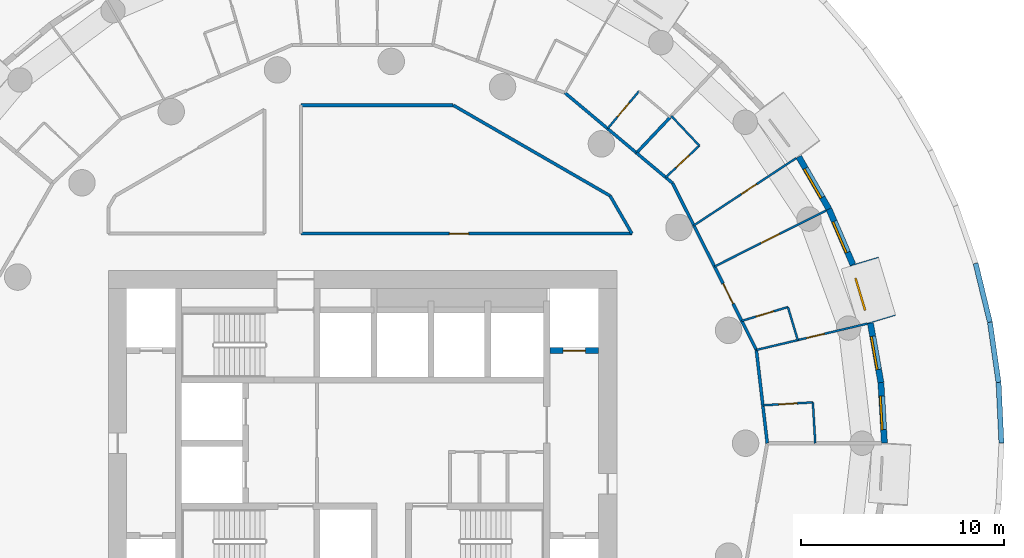
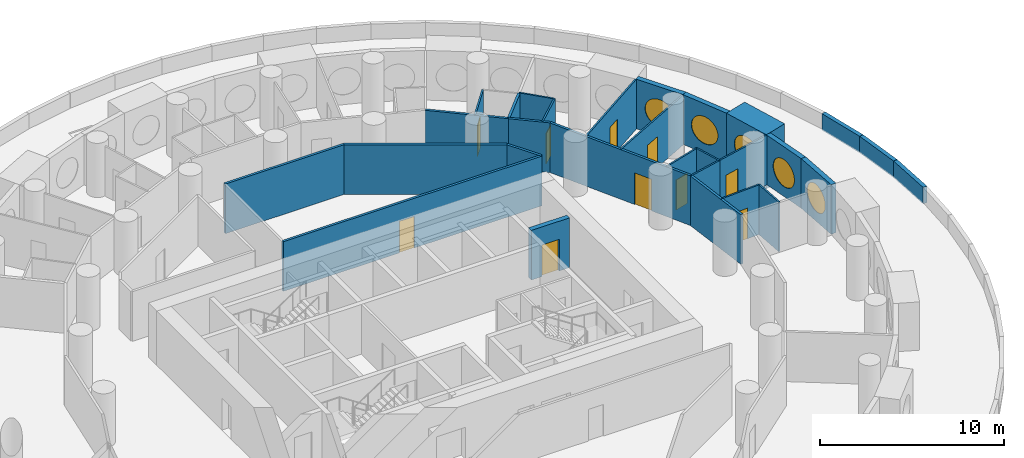
# One storey, part 8 of 13: 29 walls, 10 doors, 5 windows, 15 openings.
"""IFC4 building model written with IfcOpenShell, lengths in metres."""

from ifc_helpers import new_model, si_unit, direction, frame, frame_2d, origin, origin_2d, place, context, subcontext, project, spatial, rectangle, circle, extrude, material, layer, layer_set, type_object, element, fill, save


model = new_model("IFC4")

# Units and contexts
model_context = context("Model", 3, precision=1e-05, world=origin(), true_north=direction((0.0, 1.0)))
body_context = subcontext(model_context, "Body", "Model", "MODEL_VIEW")
ifc_project = project(units=[si_unit("LENGTHUNIT", "METRE"), si_unit("AREAUNIT", "SQUARE_METRE"), si_unit("VOLUMEUNIT", "CUBIC_METRE"), si_unit("PLANEANGLEUNIT", "RADIAN"), si_unit("MASSUNIT", "GRAM", prefix="KILO")], contexts=[model_context])

# Site, building, storey
site_placement = place(None, origin())
site = spatial("IfcSite", under=ifc_project, at=site_placement, CompositionType="ELEMENT")
building_placement = place(site_placement, origin())
building = spatial("IfcBuilding", under=site, at=building_placement, Name="Tracery Tower", CompositionType="ELEMENT")
storey_placement = place(building_placement, frame((0.0, 0.0, 126.0)))
storey = spatial("IfcBuildingStorey", under=building, at=storey_placement, Name="L31", CompositionType="ELEMENT", Elevation=126.0)

# Wall, opening, window
ifc_material_1 = material(Name="Precast concrete C50/60", Category="concrete")
ifc_layer_1 = layer(ifc_material_1, 1.449951171875)
ifc_layer_set_1 = layer_set([ifc_layer_1], Name="Deep-set bay unit 3000 x 3600, slab edge 300")
wall_type_1 = type_object("IfcWallType", Name="Deep-set bay unit 3000 x 3600, slab edge 300", PredefinedType="ELEMENTEDWALL", material=ifc_layer_set_1)
wall_1_placement = place(storey_placement, frame((25.509521484375, 6.0712890625, -0.300048828125), z_axis=(0.0, 0.0, 1.0), x_axis=(-0.286780420304, 0.957996341606, 0.0)))
wall_1 = element("IfcWall", 1, at=wall_1_placement, inside=storey, type_object=wall_type_1, Name="Deep-set bay unit 3 at L31", PredefinedType="ELEMENTEDWALL", context=body_context, shape_type="SweptSolid", body=[
    extrude(rectangle(XDim=3.0, YDim=1.449951171875, at=frame_2d((1.5, 0.0))), origin(), (0.0, 0.0, 1.0), 3.60009765625),
])
opening_1_placement = place(wall_1_placement, frame((1.5, 0.0, 1.85009765625)))
opening_1 = element("IfcOpeningElement", 2, at=opening_1_placement, cuts=wall_1, Name="Opening WN1", PredefinedType="OPENING", context=body_context, shape_type="SweptSolid", body=[
    extrude(circle(Radius=0.9000244140625, at=origin_2d()), frame((0.0, 0.73486328125, 0.0), z_axis=(0.0, -1.0, 0.0), x_axis=(1.0, 0.0, 0.0)), (0.0, 0.0, 1.0), 1.469970703125),
])
ifc_material_2 = material(Name="Aluminium frame with tinted double glazing", Category="aluminium")
window_type = type_object("IfcWindowType", Name="Round window 1800", PartitioningType="SINGLE_PANEL", PredefinedType="WINDOW", material=ifc_material_2)
window_1_placement = place(opening_1_placement, origin())
window_1 = element("IfcWindow", 3, at=window_1_placement, inside=storey, type_object=window_type, Name="Round window 3 at L31", OverallHeight=1.800048828125, OverallWidth=1.800048828125, PartitioningType="SINGLE_PANEL", PredefinedType="WINDOW", context=body_context, shape_type="SweptSolid", body=[
    extrude(circle(Radius=0.9000244140625, at=origin_2d()), frame((0.0, 0.69482421875, 0.0), z_axis=(0.0, -1.0, 0.0), x_axis=(1.0, 0.0, 0.0)), (0.0, 0.0, 1.0), 0.10009765625),
])
fill(opening_1, window_1)

ifc_material_3 = material(Name="Precast concrete C50/60", Category="concrete")
ifc_layer_2 = layer(ifc_material_3, 0.300048828125)
ifc_layer_set_2 = layer_set([ifc_layer_2], Name="Facade panel 3000 x 3300")
wall_type_2 = type_object("IfcWallType", Name="Facade panel 3000 x 3300", PredefinedType="SOLIDWALL", material=ifc_layer_set_2)
wall_2_placement = place(storey_placement, frame((25.64697265625, 0.009521484375, 0.0), z_axis=(0.0, 0.0, 1.0), x_axis=(-0.058139540521, 0.998308466271, 0.0)))
wall_2 = element("IfcWall", 4, at=wall_2_placement, inside=storey, type_object=wall_type_2, Name="Facade panel 1 at L31", PredefinedType="SOLIDWALL", context=body_context, shape_type="SweptSolid", body=[
    extrude(rectangle(XDim=2.97314453125, YDim=0.300048828125, at=frame_2d((1.486572265625, 0.0))), origin(), (0.0, 0.0, 1.0), 3.300048828125),
])
opening_2_placement = place(wall_2_placement, frame((1.486328125, 0.0, 1.5498046875)))
opening_2 = element("IfcOpeningElement", 5, at=opening_2_placement, cuts=wall_2, Name="Opening WN1", PredefinedType="OPENING", context=body_context, shape_type="SweptSolid", body=[
    extrude(circle(Radius=0.9000244140625, at=origin_2d()), frame((0.0, 0.159912109375, 0.0), z_axis=(0.0, -1.0, 0.0), x_axis=(1.0, 0.0, 0.0)), (0.0, 0.0, 1.0), 0.320068359375),
])
window_2_placement = place(opening_2_placement, origin())
window_2 = element("IfcWindow", 6, at=window_2_placement, inside=storey, type_object=window_type, Name="Round window 1 at L31", OverallHeight=1.800048828125, OverallWidth=1.800048828125, PartitioningType="SINGLE_PANEL", PredefinedType="WINDOW", context=body_context, shape_type="SweptSolid", body=[
    extrude(circle(Radius=0.9000244140625, at=origin_2d()), frame((0.0, 0.1201171875, 0.0), z_axis=(0.0, -1.0, 0.0), x_axis=(1.0, 0.0, 0.0)), (0.0, 0.0, 1.0), 0.10009765625),
])
fill(opening_2, window_2)

wall_3_placement = place(storey_placement, frame((25.47412109375, 2.9775390625, 0.0), z_axis=(0.0, 0.0, 1.0), x_axis=(-0.173686952598, 0.984800915159, 0.0)))
wall_3 = element("IfcWall", 7, at=wall_3_placement, inside=storey, type_object=wall_type_2, Name="Facade panel 2 at L31", PredefinedType="SOLIDWALL", context=body_context, shape_type="SweptSolid", body=[
    extrude(rectangle(XDim=2.972900390625, YDim=0.300048828125, at=frame_2d((1.486328125, 0.0))), origin(), (0.0, 0.0, 1.0), 3.300048828125),
])
opening_3_placement = place(wall_3_placement, frame((1.486328125, 0.0, 1.5498046875)))
opening_3 = element("IfcOpeningElement", 8, at=opening_3_placement, cuts=wall_3, Name="Opening WN1", PredefinedType="OPENING", context=body_context, shape_type="SweptSolid", body=[
    extrude(circle(Radius=0.9000244140625, at=origin_2d()), frame((0.0, 0.159912109375, 0.0), z_axis=(0.0, -1.0, 0.0), x_axis=(1.0, 0.0, 0.0)), (0.0, 0.0, 1.0), 0.320068359375),
])
window_3_placement = place(opening_3_placement, origin())
window_3 = element("IfcWindow", 9, at=window_3_placement, inside=storey, type_object=window_type, Name="Round window 2 at L31", OverallHeight=1.800048828125, OverallWidth=1.800048828125, PartitioningType="SINGLE_PANEL", PredefinedType="WINDOW", context=body_context, shape_type="SweptSolid", body=[
    extrude(circle(Radius=0.9000244140625, at=origin_2d()), frame((0.0, 0.1201171875, 0.0), z_axis=(0.0, -1.0, 0.0), x_axis=(1.0, 0.0, 0.0)), (0.0, 0.0, 1.0), 0.10009765625),
])
fill(opening_3, window_3)

wall_4_placement = place(storey_placement, frame((24.096923828125, 8.78076171875, 0.0), z_axis=(0.0, 0.0, 1.0), x_axis=(-0.396078892785, 0.918216483565, 0.0)))
wall_4 = element("IfcWall", 10, at=wall_4_placement, inside=storey, type_object=wall_type_2, Name="Facade panel 4 at L31", PredefinedType="SOLIDWALL", context=body_context, shape_type="SweptSolid", body=[
    extrude(rectangle(XDim=2.972900390625, YDim=0.300048828125, at=frame_2d((1.486328125, 0.0))), origin(), (0.0, 0.0, 1.0), 3.300048828125),
])
opening_4_placement = place(wall_4_placement, frame((1.486328125, 0.0, 1.5498046875)))
opening_4 = element("IfcOpeningElement", 11, at=opening_4_placement, cuts=wall_4, Name="Opening WN1", PredefinedType="OPENING", context=body_context, shape_type="SweptSolid", body=[
    extrude(circle(Radius=0.9000244140625, at=origin_2d()), frame((0.0, 0.159912109375, 0.0), z_axis=(0.0, -1.0, 0.0), x_axis=(1.0, 0.0, 0.0)), (0.0, 0.0, 1.0), 0.320068359375),
])
window_4_placement = place(opening_4_placement, origin())
window_4 = element("IfcWindow", 12, at=window_4_placement, inside=storey, type_object=window_type, Name="Round window 4 at L31", OverallHeight=1.800048828125, OverallWidth=1.800048828125, PartitioningType="SINGLE_PANEL", PredefinedType="WINDOW", context=body_context, shape_type="SweptSolid", body=[
    extrude(circle(Radius=0.9000244140625, at=origin_2d()), frame((0.0, 0.1201171875, 0.0), z_axis=(0.0, -1.0, 0.0), x_axis=(1.0, 0.0, 0.0)), (0.0, 0.0, 1.0), 0.10009765625),
])
fill(opening_4, window_4)

wall_5_placement = place(storey_placement, frame((22.91943359375, 11.510498046875, 0.0), z_axis=(0.0, 0.0, 1.0), x_axis=(-0.500016263033, 0.866016014115, 0.0)))
wall_5 = element("IfcWall", 13, at=wall_5_placement, inside=storey, type_object=wall_type_2, Name="Facade panel 5 at L31", PredefinedType="SOLIDWALL", context=body_context, shape_type="SweptSolid", body=[
    extrude(rectangle(XDim=2.97314453125, YDim=0.300048828125, at=frame_2d((1.486572265625, 0.0))), origin(), (0.0, 0.0, 1.0), 3.300048828125),
])
opening_5_placement = place(wall_5_placement, frame((1.486328125, 0.0, 1.5498046875)))
opening_5 = element("IfcOpeningElement", 14, at=opening_5_placement, cuts=wall_5, Name="Opening WN1", PredefinedType="OPENING", context=body_context, shape_type="SweptSolid", body=[
    extrude(circle(Radius=0.9000244140625, at=origin_2d()), frame((0.0, 0.159912109375, 0.0), z_axis=(0.0, -1.0, 0.0), x_axis=(1.0, 0.0, 0.0)), (0.0, 0.0, 1.0), 0.320068359375),
])
window_5_placement = place(opening_5_placement, origin())
window_5 = element("IfcWindow", 15, at=window_5_placement, inside=storey, type_object=window_type, Name="Round window 5 at L31", OverallHeight=1.800048828125, OverallWidth=1.800048828125, PartitioningType="SINGLE_PANEL", PredefinedType="WINDOW", context=body_context, shape_type="SweptSolid", body=[
    extrude(circle(Radius=0.9000244140625, at=origin_2d()), frame((0.0, 0.1201171875, 0.0), z_axis=(0.0, -1.0, 0.0), x_axis=(1.0, 0.0, 0.0)), (0.0, 0.0, 1.0), 0.10009765625),
])
fill(opening_5, window_5)

# Wall, opening, door
ifc_material_4 = material(Name="Plasterboard on steel studs", Category="steel")
ifc_layer_3 = layer(ifc_material_4, 0.10009765625)
ifc_layer_set_3 = layer_set([ifc_layer_3], Name="Partition 100 stud")
wall_type_3 = type_object("IfcWallType", Name="Partition 100 stud", PredefinedType="PARTITIONING", material=ifc_layer_set_3)
wall_6_placement = place(storey_placement, frame((17.29296875, 8.68505859375, 0.0), z_axis=(0.0, 0.0, 1.0), x_axis=(0.893639230217, 0.448786058403, 0.0)))
wall_6 = element("IfcWall", 16, at=wall_6_placement, inside=storey, type_object=wall_type_3, Name="Stud partition RB1-040", PredefinedType="PARTITIONING", context=body_context, shape_type="SweptSolid", body=[
    extrude(rectangle(XDim=6.1455078125, YDim=0.10009765625, at=frame_2d((3.07275390625, 0.0))), origin(), (0.0, 0.0, 1.0), 3.300048828125),
])
opening_6_placement = place(wall_6_placement, frame((2.572998046875, 0.0, 0.0)))
opening_6 = element("IfcOpeningElement", 17, at=opening_6_placement, cuts=wall_6, Name="Opening RB1-06", PredefinedType="OPENING", context=body_context, shape_type="SweptSolid", body=[
    extrude(rectangle(XDim=1.0, YDim=2.0400390625, at=frame_2d((0.5, 1.02001953125))), frame((0.0, 0.050048828125, 0.0), z_axis=(0.0, -1.0, 0.0), x_axis=(1.0, 0.0, 0.0)), (0.0, 0.0, 1.0), 0.10009765625),
])
ifc_material_5 = material(Name="Timber door leaf", Category="wood")
door_type_1 = type_object("IfcDoorType", Name="Door communal room 1000", OperationType="NOTDEFINED", PredefinedType="DOOR", material=ifc_material_5)
door_1_placement = place(opening_6_placement, origin())
door_1 = element("IfcDoor", 18, at=door_1_placement, inside=storey, type_object=door_type_1, Name="Communal room door RB1-06", OperationType="SINGLE_SWING_RIGHT", OverallHeight=2.0400390625, OverallWidth=1.0, PredefinedType="DOOR", context=body_context, shape_type="SweptSolid", body=[
    extrude(rectangle(XDim=1.0, YDim=2.0400390625, at=frame_2d((0.5, 1.02001953125))), frame((0.0, 0.02490234375, 0.0), z_axis=(0.0, -1.0, 0.0), x_axis=(1.0, 0.0, 0.0)), (0.0, 0.0, 1.0), 0.050048828125),
])
fill(opening_6, door_1)

wall_7_placement = place(storey_placement, frame((21.388916015625, 5.069091796875, 0.0), z_axis=(0.0, 0.0, 1.0), x_axis=(0.973047083334, 0.2306065342, 0.0)))
wall_7 = element("IfcWall", 19, at=wall_7_placement, inside=storey, type_object=wall_type_3, Name="Stud partition RB1-043", PredefinedType="PARTITIONING", context=body_context, shape_type="SweptSolid", body=[
    extrude(rectangle(XDim=3.515869140625, YDim=0.10009765625, at=frame_2d((1.7578125, 0.0))), origin(), (0.0, 0.0, 1.0), 3.300048828125),
])
opening_7_placement = place(wall_7_placement, frame((0.44677734375, 0.0, 0.0)))
opening_7 = element("IfcOpeningElement", 20, at=opening_7_placement, cuts=wall_7, Name="Opening RB1-08", PredefinedType="OPENING", context=body_context, shape_type="SweptSolid", body=[
    extrude(rectangle(XDim=0.89990234375, YDim=2.10009765625, at=frame_2d((0.449951171875, 1.050048828125))), frame((0.0, 0.050048828125, 0.0), z_axis=(0.0, -1.0, 0.0), x_axis=(1.0, 0.0, 0.0)), (0.0, 0.0, 1.0), 0.10009765625),
])
ifc_material_6 = material(Name="Timber door leaf", Category="wood")
door_type_2 = type_object("IfcDoorType", Name="Door bedroom 900", OperationType="NOTDEFINED", PredefinedType="DOOR", material=ifc_material_6)
door_2_placement = place(opening_7_placement, origin())
door_2 = element("IfcDoor", 21, at=door_2_placement, inside=storey, type_object=door_type_2, Name="Bedroom door RB1-08", OperationType="SINGLE_SWING_RIGHT", OverallHeight=2.10009765625, OverallWidth=0.89990234375, PredefinedType="DOOR", context=body_context, shape_type="SweptSolid", body=[
    extrude(rectangle(XDim=0.89990234375, YDim=2.10009765625, at=frame_2d((0.449951171875, 1.050048828125))), frame((0.0, 0.02490234375, 0.0), z_axis=(0.0, -1.0, 0.0), x_axis=(1.0, 0.0, 0.0)), (0.0, 0.0, 1.0), 0.050048828125),
])
fill(opening_7, door_2)

wall_8_placement = place(storey_placement, frame((16.278076171875, 10.7060546875, 0.0), z_axis=(0.0, 0.0, 1.0), x_axis=(0.835487706207, 0.549509138029, 0.0)))
wall_8 = element("IfcWall", 22, at=wall_8_placement, inside=storey, type_object=wall_type_3, Name="Stud partition RB1-044", PredefinedType="PARTITIONING", context=body_context, shape_type="SweptSolid", body=[
    extrude(rectangle(XDim=6.014404296875, YDim=0.10009765625, at=frame_2d((3.00732421875, 0.0))), origin(), (0.0, 0.0, 1.0), 3.300048828125),
])
opening_8_placement = place(wall_8_placement, frame((2.79296875, 0.0, 0.0)))
opening_8 = element("IfcOpeningElement", 23, at=opening_8_placement, cuts=wall_8, Name="Opening RB1-10", PredefinedType="OPENING", context=body_context, shape_type="SweptSolid", body=[
    extrude(rectangle(XDim=0.89990234375, YDim=2.10009765625, at=frame_2d((0.449951171875, 1.050048828125))), frame((0.0, 0.050048828125, 0.0), z_axis=(0.0, -1.0, 0.0), x_axis=(1.0, 0.0, 0.0)), (0.0, 0.0, 1.0), 0.10009765625),
])
door_3_placement = place(opening_8_placement, origin())
door_3 = element("IfcDoor", 24, at=door_3_placement, inside=storey, type_object=door_type_2, Name="Bedroom door RB1-10", OperationType="SINGLE_SWING_RIGHT", OverallHeight=2.10009765625, OverallWidth=0.89990234375, PredefinedType="DOOR", context=body_context, shape_type="SweptSolid", body=[
    extrude(rectangle(XDim=0.89990234375, YDim=2.10009765625, at=frame_2d((0.449951171875, 1.050048828125))), frame((0.0, 0.02490234375, 0.0), z_axis=(0.0, -1.0, 0.0), x_axis=(1.0, 0.0, 0.0)), (0.0, 0.0, 1.0), 0.050048828125),
])
fill(opening_8, door_3)

# Wall
ifc_material_7 = material(Name="Plasterboard on steel studs", Category="steel")
ifc_layer_4 = layer(ifc_material_7, 0.10009765625)
ifc_layer_set_4 = layer_set([ifc_layer_4], Name="Partition 100 wet wall")
wall_type_4 = type_object("IfcWallType", Name="Partition 100 wet wall", PredefinedType="PARTITIONING", material=ifc_layer_set_4)
wall_9_placement = place(storey_placement, frame((20.902099609375, 6.694091796875, 0.0), z_axis=(0.0, 0.0, 1.0), x_axis=(0.286978159246, -0.957937125346, 0.0)))
element("IfcWall", 25, at=wall_9_placement, inside=storey, type_object=wall_type_4, Name="Wet wall RB1-041", PredefinedType="PARTITIONING", context=body_context, shape_type="SweptSolid", body=[
    extrude(rectangle(XDim=1.6962890625, YDim=0.10009765625, at=frame_2d((0.84814453125, 0.0))), origin(), (0.0, 0.0, 1.0), 3.300048828125),
])

# Wall, opening, door
wall_10_placement = place(storey_placement, frame((18.634033203125, 6.014892578125, 0.0), z_axis=(0.0, 0.0, 1.0), x_axis=(0.957968074201, 0.286874831262, 0.0)))
wall_10 = element("IfcWall", 26, at=wall_10_placement, inside=storey, type_object=wall_type_4, Name="Wet wall RB1-042", PredefinedType="PARTITIONING", context=body_context, shape_type="SweptSolid", body=[
    extrude(rectangle(XDim=2.36767578125, YDim=0.10009765625, at=frame_2d((1.183837890625, 0.0))), origin(), (0.0, 0.0, 1.0), 3.300048828125),
])
opening_9_placement = place(wall_10_placement, frame((0.7333984375, 0.0, 0.0)))
opening_9 = element("IfcOpeningElement", 27, at=opening_9_placement, cuts=wall_10, Name="Opening RB1-07", PredefinedType="OPENING", context=body_context, shape_type="SweptSolid", body=[
    extrude(rectangle(XDim=0.89990234375, YDim=2.0, at=frame_2d((0.449951171875, 1.0))), frame((0.0, 0.050048828125, 0.0), z_axis=(0.0, -1.0, 0.0), x_axis=(1.0, 0.0, 0.0)), (0.0, 0.0, 1.0), 0.10009765625),
])
ifc_material_8 = material(Name="Timber door leaf", Category="wood")
door_type_3 = type_object("IfcDoorType", Name="Door shower room 900", OperationType="NOTDEFINED", PredefinedType="DOOR", material=ifc_material_8)
door_4_placement = place(opening_9_placement, origin())
door_4 = element("IfcDoor", 28, at=door_4_placement, inside=storey, type_object=door_type_3, Name="Shower room door RB1-07", OperationType="SINGLE_SWING_RIGHT", OverallHeight=2.0, OverallWidth=0.89990234375, PredefinedType="DOOR", context=body_context, shape_type="SweptSolid", body=[
    extrude(rectangle(XDim=0.89990234375, YDim=2.0, at=frame_2d((0.449951171875, 1.0))), frame((0.0, 0.02490234375, 0.0), z_axis=(0.0, -1.0, 0.0), x_axis=(1.0, 0.0, 0.0)), (0.0, 0.0, 1.0), 0.050048828125),
])
fill(opening_9, door_4)

# Walls
wall_11_placement = place(storey_placement, frame((19.35205078125, 4.5859375, 0.0), z_axis=(0.0, 0.0, 1.0), x_axis=(0.973001078158, 0.230800567383, 0.0)))
element("IfcWall", 29, at=wall_11_placement, inside=storey, type_object=wall_type_4, Name="Wet wall RB1-045", PredefinedType="PARTITIONING", context=body_context, shape_type="SweptSolid", body=[
    extrude(rectangle(XDim=2.093505859375, YDim=0.10009765625, at=frame_2d((1.046875, 0.0))), origin(), (0.0, 0.0, 1.0), 3.300048828125),
])
wall_12_placement = place(storey_placement, frame((22.1298828125, 2.008056640625, 0.0), z_axis=(0.0, 0.0, 1.0), x_axis=(0.058259538708, -0.998301470574, 0.0)))
element("IfcWall", 30, at=wall_12_placement, inside=storey, type_object=wall_type_4, Name="Wet wall RB1-046", PredefinedType="PARTITIONING", context=body_context, shape_type="SweptSolid", body=[
    extrude(rectangle(XDim=2.011474609375, YDim=0.10009765625, at=frame_2d((1.005859375, 0.0))), origin(), (0.0, 0.0, 1.0), 3.300048828125),
])

# Wall, opening, door
wall_13_placement = place(storey_placement, frame((19.669921875, 1.864013671875, 0.0), z_axis=(0.0, 0.0, 1.0), x_axis=(0.998290052933, 0.058454856216, 0.0)))
wall_13 = element("IfcWall", 31, at=wall_13_placement, inside=storey, type_object=wall_type_4, Name="Wet wall RB1-047", PredefinedType="PARTITIONING", context=body_context, shape_type="SweptSolid", body=[
    extrude(rectangle(XDim=2.464111328125, YDim=0.10009765625, at=frame_2d((1.23193359375, 0.0))), origin(), (0.0, 0.0, 1.0), 3.300048828125),
])
opening_10_placement = place(wall_13_placement, frame((0.7822265625, 0.0, 0.0)))
opening_10 = element("IfcOpeningElement", 32, at=opening_10_placement, cuts=wall_13, Name="Opening RB1-09", PredefinedType="OPENING", context=body_context, shape_type="SweptSolid", body=[
    extrude(rectangle(XDim=0.89990234375, YDim=2.0400390625, at=frame_2d((0.449951171875, 1.02001953125))), frame((0.0, 0.050048828125, 0.0), z_axis=(0.0, -1.0, 0.0), x_axis=(1.0, 0.0, 0.0)), (0.0, 0.0, 1.0), 0.10009765625),
])
ifc_material_9 = material(Name="Timber door leaf", Category="wood")
door_type_4 = type_object("IfcDoorType", Name="Door en-suite 900", OperationType="NOTDEFINED", PredefinedType="DOOR", material=ifc_material_9)
door_5_placement = place(opening_10_placement, origin())
door_5 = element("IfcDoor", 33, at=door_5_placement, inside=storey, type_object=door_type_4, Name="En-suite door RB1-09", OperationType="SINGLE_SWING_LEFT", OverallHeight=2.0400390625, OverallWidth=0.89990234375, PredefinedType="DOOR", context=body_context, shape_type="SweptSolid", body=[
    extrude(rectangle(XDim=0.89990234375, YDim=2.0400390625, at=frame_2d((0.449951171875, 1.02001953125))), frame((0.0, 0.02490234375, 0.0), z_axis=(0.0, -1.0, 0.0), x_axis=(1.0, 0.0, 0.0)), (0.0, 0.0, 1.0), 0.050048828125),
])
fill(opening_10, door_5)

wall_14_placement = place(storey_placement, frame((14.89599609375, 13.068115234375, 0.0), z_axis=(0.0, 0.0, 1.0), x_axis=(0.727754926423, 0.68583727448, 0.0)))
wall_14 = element("IfcWall", 34, at=wall_14_placement, inside=storey, type_object=wall_type_4, Name="Wet wall RB1-049", PredefinedType="PARTITIONING", context=body_context, shape_type="SweptSolid", body=[
    extrude(rectangle(XDim=2.271484375, YDim=0.10009765625, at=frame_2d((1.1357421875, 0.0))), origin(), (0.0, 0.0, 1.0), 3.300048828125),
])
opening_11_placement = place(wall_14_placement, frame((0.68603515625, 0.0, 0.0)))
opening_11 = element("IfcOpeningElement", 35, at=opening_11_placement, cuts=wall_14, Name="Opening RB1-11", PredefinedType="OPENING", context=body_context, shape_type="SweptSolid", body=[
    extrude(rectangle(XDim=0.89990234375, YDim=2.0400390625, at=frame_2d((0.449951171875, 1.02001953125))), frame((0.0, 0.050048828125, 0.0), z_axis=(0.0, -1.0, 0.0), x_axis=(1.0, 0.0, 0.0)), (0.0, 0.0, 1.0), 0.10009765625),
])
door_6_placement = place(opening_11_placement, origin())
door_6 = element("IfcDoor", 36, at=door_6_placement, inside=storey, type_object=door_type_4, Name="En-suite door RB1-11", OperationType="SINGLE_SWING_RIGHT", OverallHeight=2.0400390625, OverallWidth=0.89990234375, PredefinedType="DOOR", context=body_context, shape_type="SweptSolid", body=[
    extrude(rectangle(XDim=0.89990234375, YDim=2.0400390625, at=frame_2d((0.449951171875, 1.02001953125))), frame((0.0, 0.02490234375, 0.0), z_axis=(0.0, -1.0, 0.0), x_axis=(1.0, 0.0, 0.0)), (0.0, 0.0, 1.0), 0.050048828125),
])
fill(opening_11, door_6)

# Wall
wall_15_placement = place(storey_placement, frame((15.174072265625, 16.0830078125, 0.0), z_axis=(0.0, 0.0, 1.0), x_axis=(0.686337209023, -0.727283462971, 0.0)))
element("IfcWall", 37, at=wall_15_placement, inside=storey, type_object=wall_type_4, Name="Wet wall RB1-050", PredefinedType="PARTITIONING", context=body_context, shape_type="SweptSolid", body=[
    extrude(rectangle(XDim=2.00341796875, YDim=0.10009765625, at=frame_2d((1.001708984375, 0.0))), origin(), (0.0, 0.0, 1.0), 3.300048828125),
])

# Wall, opening, door
wall_16_placement = place(storey_placement, frame((12.0400390625, 15.465087890625, 0.0), z_axis=(0.0, 0.0, 1.0), x_axis=(0.642743296644, 0.766081623993, 0.0)))
wall_16 = element("IfcWall", 38, at=wall_16_placement, inside=storey, type_object=wall_type_4, Name="Wet wall RB1-060", PredefinedType="PARTITIONING", context=body_context, shape_type="SweptSolid", body=[
    extrude(rectangle(XDim=2.399169921875, YDim=0.10009765625, at=frame_2d((1.19970703125, 0.0))), origin(), (0.0, 0.0, 1.0), 3.300048828125),
])
opening_12_placement = place(wall_16_placement, frame((0.749267578125, 0.0, 0.0)))
opening_12 = element("IfcOpeningElement", 39, at=opening_12_placement, cuts=wall_16, Name="Opening RB1-16", PredefinedType="OPENING", context=body_context, shape_type="SweptSolid", body=[
    extrude(rectangle(XDim=0.89990234375, YDim=2.0400390625, at=frame_2d((0.449951171875, 1.02001953125))), frame((0.0, 0.050048828125, 0.0), z_axis=(0.0, -1.0, 0.0), x_axis=(1.0, 0.0, 0.0)), (0.0, 0.0, 1.0), 0.10009765625),
])
door_7_placement = place(opening_12_placement, origin())
door_7 = element("IfcDoor", 40, at=door_7_placement, inside=storey, type_object=door_type_4, Name="En-suite door RB1-16", OperationType="SINGLE_SWING_RIGHT", OverallHeight=2.0400390625, OverallWidth=0.89990234375, PredefinedType="DOOR", context=body_context, shape_type="SweptSolid", body=[
    extrude(rectangle(XDim=0.89990234375, YDim=2.0400390625, at=frame_2d((0.449951171875, 1.02001953125))), frame((0.0, 0.02490234375, 0.0), z_axis=(0.0, -1.0, 0.0), x_axis=(1.0, 0.0, 0.0)), (0.0, 0.0, 1.0), 0.050048828125),
])
fill(opening_12, door_7)

# Wall
ifc_material_10 = material(Name="Plasterboard on steel studs", Category="steel")
ifc_layer_5 = layer(ifc_material_10, 0.14990234375)
ifc_layer_set_5 = layer_set([ifc_layer_5], Name="Partition 150 acoustic unit wall")
wall_type_5 = type_object("IfcWallType", Name="Partition 150 acoustic unit wall", PredefinedType="PARTITIONING", material=ifc_layer_set_5)
wall_17_placement = place(storey_placement, frame((13.462890625, 14.27001953125, 0.0), z_axis=(0.0, 0.0, 1.0), x_axis=(0.686486574862, 0.727142477465, 0.0)))
element("IfcWall", 41, at=wall_17_placement, inside=storey, type_object=wall_type_5, Name="Unit wall RB1-052", PredefinedType="PARTITIONING", context=body_context, shape_type="SweptSolid", body=[
    extrude(rectangle(XDim=2.407958984375, YDim=0.14990234375, at=frame_2d((1.2041015625, 0.0))), origin(), (0.0, 0.0, 1.0), 3.300048828125),
])

# Wall, opening, door
ifc_material_11 = material(Name="Plasterboard on steel studs", Category="steel")
ifc_layer_6 = layer(ifc_material_11, 0.14990234375)
ifc_layer_set_6 = layer_set([ifc_layer_6], Name="Partition 150 corridor wall")
wall_type_6 = type_object("IfcWallType", Name="Partition 150 corridor wall", PredefinedType="PARTITIONING", material=ifc_layer_set_6)
wall_18_placement = place(storey_placement, frame((-3.02490234375, 10.300048828125, 0.0), z_axis=(0.0, 0.0, 1.0), x_axis=(1.0, 0.0, 0.0)))
wall_18 = element("IfcWall", 42, at=wall_18_placement, inside=storey, type_object=wall_type_6, Name="Corridor wall RB1-002", PredefinedType="PARTITIONING", context=body_context, shape_type="SweptSolid", body=[
    extrude(rectangle(XDim=16.261962890625, YDim=0.14990234375, at=frame_2d((8.130859375, 0.0))), origin(), (0.0, 0.0, 1.0), 3.300048828125),
])
opening_13_placement = place(wall_18_placement, frame((7.2880859375, 0.0, 0.0)))
opening_13 = element("IfcOpeningElement", 43, at=opening_13_placement, cuts=wall_18, Name="Opening RB1-02", PredefinedType="OPENING", context=body_context, shape_type="SweptSolid", body=[
    extrude(rectangle(XDim=0.949951171875, YDim=2.10009765625, at=frame_2d((0.47509765625, 1.050048828125))), frame((0.0, 0.074951171875, 0.0), z_axis=(0.0, -1.0, 0.0), x_axis=(1.0, 0.0, 0.0)), (0.0, 0.0, 1.0), 0.14990234375),
])
ifc_material_12 = material(Name="Timber door leaf", Category="wood")
door_type_5 = type_object("IfcDoorType", Name="Door store 950", OperationType="NOTDEFINED", PredefinedType="DOOR", material=ifc_material_12)
door_8_placement = place(opening_13_placement, origin())
door_8 = element("IfcDoor", 44, at=door_8_placement, inside=storey, type_object=door_type_5, Name="Store door RB1-02", OperationType="SINGLE_SWING_RIGHT", OverallHeight=2.10009765625, OverallWidth=0.949951171875, PredefinedType="DOOR", context=body_context, shape_type="SweptSolid", body=[
    extrude(rectangle(XDim=0.949951171875, YDim=2.10009765625, at=frame_2d((0.47509765625, 1.050048828125))), frame((0.0, 0.02490234375, 0.0), z_axis=(0.0, -1.0, 0.0), x_axis=(1.0, 0.0, 0.0)), (0.0, 0.0, 1.0), 0.050048828125),
])
fill(opening_13, door_8)

# Wall
wall_19_placement = place(storey_placement, frame((12.162109375, 12.162109375, 0.0), z_axis=(0.0, 0.0, 1.0), x_axis=(0.499961633463, -0.866047553582, 0.0)))
element("IfcWall", 45, at=wall_19_placement, inside=storey, type_object=wall_type_6, Name="Corridor wall RB1-005", PredefinedType="PARTITIONING", context=body_context, shape_type="SweptSolid", body=[
    extrude(rectangle(XDim=2.150146484375, YDim=0.14990234375, at=frame_2d((1.0751953125, 0.0))), origin(), (0.0, 0.0, 1.0), 3.300048828125),
])

# Wall, opening, door
wall_20_placement = place(storey_placement, frame((15.234619140625, 12.78369140625, 0.0), z_axis=(0.0, 0.0, 1.0), x_axis=(0.448809691484, -0.893627361281, 0.0)))
wall_20 = element("IfcWall", 46, at=wall_20_placement, inside=storey, type_object=wall_type_6, Name="Corridor wall RB1-007", PredefinedType="PARTITIONING", context=body_context, shape_type="SweptSolid", body=[
    extrude(rectangle(XDim=9.173583984375, YDim=0.14990234375, at=frame_2d((4.5869140625, 0.0))), origin(), (0.0, 0.0, 1.0), 3.300048828125),
])
opening_14_placement = place(wall_20_placement, frame((5.5302734375, 0.0, 0.0)))
opening_14 = element("IfcOpeningElement", 47, at=opening_14_placement, cuts=wall_20, Name="Opening RB1-05", PredefinedType="OPENING", context=body_context, shape_type="SweptSolid", body=[
    extrude(rectangle(XDim=1.10009765625, YDim=2.10009765625, at=frame_2d((0.550048828125, 1.050048828125))), frame((0.0, 0.074951171875, 0.0), z_axis=(0.0, -1.0, 0.0), x_axis=(1.0, 0.0, 0.0)), (0.0, 0.0, 1.0), 0.14990234375),
])
ifc_material_13 = material(Name="Timber door leaf", Category="wood")
door_type_6 = type_object("IfcDoorType", Name="Door cluster entrance 1100", OperationType="NOTDEFINED", PredefinedType="DOOR", material=ifc_material_13)
door_9_placement = place(opening_14_placement, origin())
door_9 = element("IfcDoor", 48, at=door_9_placement, inside=storey, type_object=door_type_6, Name="Cluster entrance door RB1-05", OperationType="SINGLE_SWING_LEFT", OverallHeight=2.10009765625, OverallWidth=1.10009765625, PredefinedType="DOOR", context=body_context, shape_type="SweptSolid", body=[
    extrude(rectangle(XDim=1.10009765625, YDim=2.10009765625, at=frame_2d((0.550048828125, 1.050048828125))), frame((0.0, 0.02490234375, 0.0), z_axis=(0.0, -1.0, 0.0), x_axis=(1.0, 0.0, 0.0)), (0.0, 0.0, 1.0), 0.050048828125),
])
fill(opening_14, door_9)

# Walls
wall_21_placement = place(storey_placement, frame((19.35205078125, 4.5859375, 0.0), z_axis=(0.0, 0.0, 1.0), x_axis=(0.116221510549, -0.993223318537, 0.0)))
element("IfcWall", 49, at=wall_21_placement, inside=storey, type_object=wall_type_6, Name="Corridor wall RB1-008", PredefinedType="PARTITIONING", context=body_context, shape_type="SweptSolid", body=[
    extrude(rectangle(XDim=4.6171875, YDim=0.14990234375, at=frame_2d((2.30859375, 0.0))), origin(), (0.0, 0.0, 1.0), 3.300048828125),
])
wall_22_placement = place(storey_placement, frame((13.458251953125, 14.27001953125, 0.0), z_axis=(0.0, 0.0, 1.0), x_axis=(0.767079699321, -0.641551817775, 0.0)))
element("IfcWall", 50, at=wall_22_placement, inside=storey, type_object=wall_type_6, Name="Corridor wall RB1-009", PredefinedType="PARTITIONING", context=body_context, shape_type="SweptSolid", body=[
    extrude(rectangle(XDim=2.31640625, YDim=0.14990234375, at=frame_2d((1.158203125, 0.0))), origin(), (0.0, 0.0, 1.0), 3.300048828125),
])
wall_23_placement = place(storey_placement, frame((4.451904296875, 16.614013671875, 0.0), z_axis=(0.0, 0.0, 1.0), x_axis=(0.866005203721, -0.500034985904, 0.0)))
element("IfcWall", 51, at=wall_23_placement, inside=storey, type_object=wall_type_6, Name="Corridor wall RB1-015", PredefinedType="PARTITIONING", context=body_context, shape_type="SweptSolid", body=[
    extrude(rectangle(XDim=8.903076171875, YDim=0.14990234375, at=frame_2d((4.45166015625, 0.0))), origin(), (0.0, 0.0, 1.0), 3.300048828125),
])
wall_24_placement = place(storey_placement, frame((-3.02099609375, 16.614013671875, 0.0), z_axis=(0.0, 0.0, 1.0), x_axis=(1.0, 0.0, 0.0)))
element("IfcWall", 52, at=wall_24_placement, inside=storey, type_object=wall_type_6, Name="Corridor wall RB1-016", PredefinedType="PARTITIONING", context=body_context, shape_type="SweptSolid", body=[
    extrude(rectangle(XDim=7.472900390625, YDim=0.14990234375, at=frame_2d((3.736328125, 0.0))), origin(), (0.0, 0.0, 1.0), 3.300048828125),
])
wall_25_placement = place(storey_placement, frame((9.944091796875, 17.222900390625, 0.0), z_axis=(0.0, 0.0, 1.0), x_axis=(0.765940168638, -0.642911858708, 0.0)))
element("IfcWall", 53, at=wall_25_placement, inside=storey, type_object=wall_type_6, Name="Corridor wall RB1-019", PredefinedType="PARTITIONING", context=body_context, shape_type="SweptSolid", body=[
    extrude(rectangle(XDim=4.597900390625, YDim=0.14990234375, at=frame_2d((2.298828125, 0.0))), origin(), (0.0, 0.0, 1.0), 3.300048828125),
])

# Wall, opening, door
ifc_material_14 = material(Name="Concrete C50/60", Category="concrete")
ifc_layer_7 = layer(ifc_material_14, 0.300048828125)
ifc_layer_set_7 = layer_set([ifc_layer_7], Name="Shaft wall 300 C50")
wall_type_7 = type_object("IfcWallType", Name="Shaft wall 300 C50", PredefinedType="SOLIDWALL", material=ifc_layer_set_7)
wall_26_placement = place(storey_placement, frame((9.199951171875, 4.550048828125, 0.0), z_axis=(0.0, 0.0, 1.0), x_axis=(1.0, 0.0, 0.0)))
wall_26 = element("IfcWall", 54, at=wall_26_placement, inside=storey, type_object=wall_type_7, Name="L31 MR E +4.55", PredefinedType="SOLIDWALL", context=body_context, shape_type="SweptSolid", body=[
    extrude(rectangle(XDim=2.400146484375, YDim=0.300048828125, at=frame_2d((1.2001953125, 0.0))), origin(), (0.0, 0.0, 1.0), 3.300048828125),
])
opening_15_placement = place(wall_26_placement, frame((0.64990234375, 0.0, 0.0)))
opening_15 = element("IfcOpeningElement", 55, at=opening_15_placement, cuts=wall_26, Name="Opening KD49", PredefinedType="OPENING", context=body_context, shape_type="SweptSolid", body=[
    extrude(rectangle(XDim=1.10009765625, YDim=2.10009765625, at=frame_2d((0.550048828125, 1.050048828125))), frame((0.0, 0.14990234375, 0.0), z_axis=(0.0, -1.0, 0.0), x_axis=(1.0, 0.0, 0.0)), (0.0, 0.0, 1.0), 0.300048828125),
])
ifc_material_15 = material(Name="Steel fire door", Category="steel")
door_type_7 = type_object("IfcDoorType", Name="Landing door 1100", OperationType="NOTDEFINED", PredefinedType="DOOR", material=ifc_material_15)
door_10_placement = place(opening_15_placement, origin())
door_10 = element("IfcDoor", 56, at=door_10_placement, inside=storey, type_object=door_type_7, Name="Landing door MR4", OperationType="SLIDING_TO_LEFT", OverallHeight=2.10009765625, OverallWidth=1.10009765625, PredefinedType="DOOR", context=body_context, shape_type="SweptSolid", body=[
    extrude(rectangle(XDim=1.10009765625, YDim=2.10009765625, at=frame_2d((0.550048828125, 1.050048828125))), frame((0.0, 0.02490234375, 0.0), z_axis=(0.0, -1.0, 0.0), x_axis=(1.0, 0.0, 0.0)), (0.0, 0.0, 1.0), 0.050048828125),
])
fill(opening_15, door_10)

# Walls
ifc_material_16 = material(Name="Precast concrete C50/60", Category="concrete")
ifc_layer_8 = layer(ifc_material_16, 0.25)
ifc_layer_set_8 = layer_set([ifc_layer_8], Name="Terrace parapet 250")
wall_type_8 = type_object("IfcWallType", Name="Terrace parapet 250", PredefinedType="PARAPET", material=ifc_layer_set_8)
wall_27_placement = place(storey_placement, frame((31.399169921875, 0.0068359375, 0.0), z_axis=(0.0, 0.0, 1.0), x_axis=(-0.04760804787, 0.998866094018, 0.0)))
element("IfcWall", 57, at=wall_27_placement, inside=storey, type_object=wall_type_8, Name="Terrace parapet L31 1", PredefinedType="PARAPET", context=body_context, shape_type="SweptSolid", body=[
    extrude(rectangle(XDim=2.974365234375, YDim=0.25, at=frame_2d((1.4873046875, 0.0))), origin(), (0.0, 0.0, 1.0), 1.10009765625),
])
for number, where, z_axis, x_axis, name in (
    (58, (31.25634765625, 2.99169921875, 0.0), (0.0, 0.0, 1.0), (-0.142340681425, 0.989817725852, 0.0), "Terrace parapet L31 2"),
    (59, (30.830322265625, 5.94921875, 0.0), (0.0, 0.0, 1.0), (-0.235750382892, 0.971813643126, 0.0), "Terrace parapet L31 3"),
):
    element("IfcWall", number, at=place(storey_placement, frame(where, z_axis=z_axis, x_axis=x_axis)), inside=storey, type_object=wall_type_8, Name=name, PredefinedType="PARAPET", context=body_context, shape_type="SweptSolid", body=[
        extrude(rectangle(XDim=2.97412109375, YDim=0.25, at=frame_2d((1.487060546875, 0.0))), origin(), (0.0, 0.0, 1.0), 1.10009765625),
    ])

save(model, "model.ifc")
